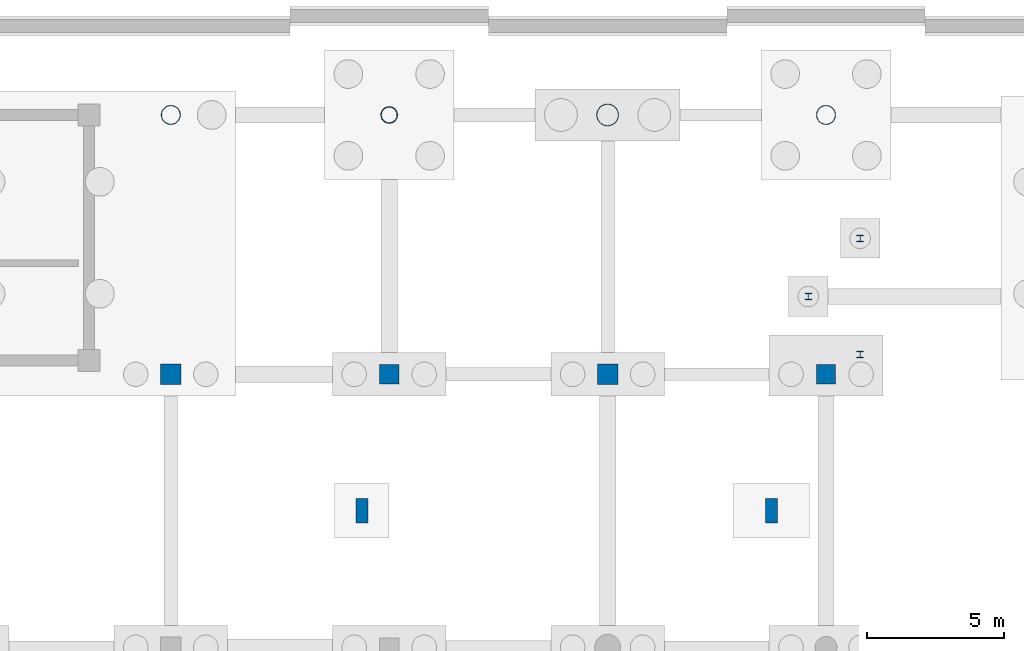
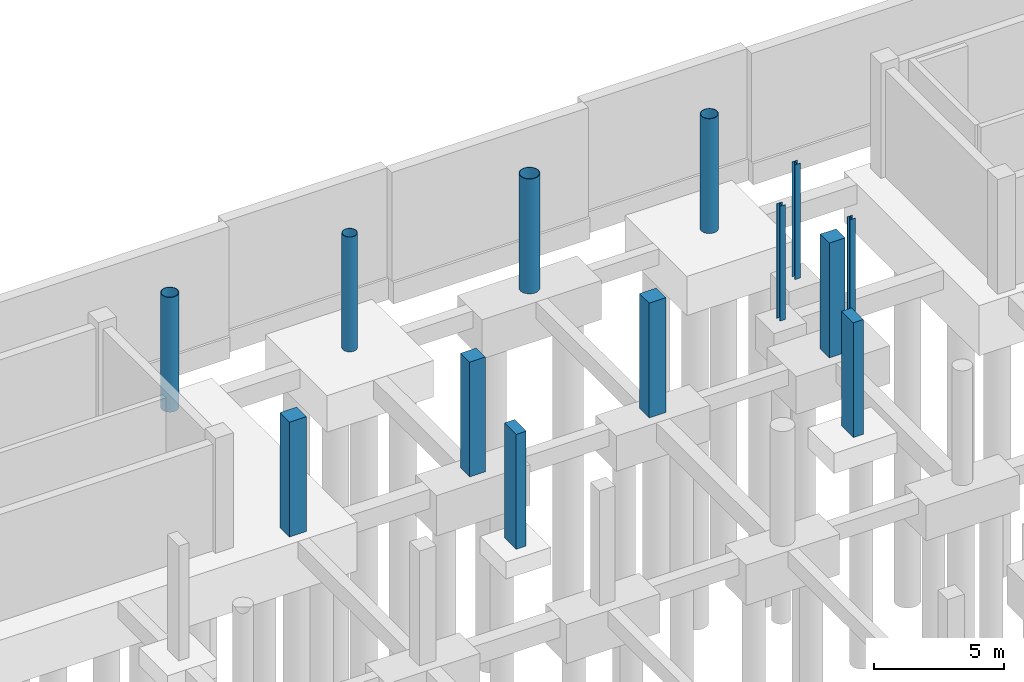
# One storey, part 45 of 65: 13 columns.
"""IFC4 building model written with IfcOpenShell, lengths in metres."""

from ifc_helpers import new_model, si_unit, direction, frame, origin, origin_2d, place, context, subcontext, project, spatial, rectangle, hollow_circle, i_section, extrude, material, material_profile, profile_set, type_object, element, save


model = new_model("IFC4")

# Units and contexts
model_context = context("Model", 3, precision=1e-05, world=origin(), true_north=direction((0.0, 1.0)))
body_context = subcontext(model_context, "Body", "Model", "MODEL_VIEW")
ifc_project = project(units=[si_unit("LENGTHUNIT", "METRE"), si_unit("AREAUNIT", "SQUARE_METRE"), si_unit("VOLUMEUNIT", "CUBIC_METRE"), si_unit("PLANEANGLEUNIT", "RADIAN"), si_unit("MASSUNIT", "GRAM", prefix="KILO")], contexts=[model_context])

# Site, building, storey
site_placement = place(None, origin())
site = spatial("IfcSite", under=ifc_project, at=site_placement, CompositionType="ELEMENT")
building_placement = place(site_placement, origin())
building = spatial("IfcBuilding", under=site, at=building_placement, Name="Khorjan Park Terminus", CompositionType="ELEMENT")
storey_placement = place(building_placement, frame((0.0, 0.0, -5.4)))
storey = spatial("IfcBuildingStorey", under=building, at=storey_placement, Name="B1", CompositionType="ELEMENT", Elevation=-5.4)

# Columns
ifc_material_1 = material(Name="Steel S355", Category="steel")
ifc_material_profile_1 = material_profile(ifc_material_1, i_section(OverallWidth=0.24, OverallDepth=0.24, WebThickness=0.01, FlangeThickness=0.017, FilletRadius=0.021, at=origin_2d()), Name="HEB 240")
ifc_profile_set_1 = profile_set([ifc_material_profile_1], Name="Steel S355")
column_type_1 = type_object("IfcColumnType", Name="COL-HB240", PredefinedType="COLUMN", material=ifc_profile_set_1)
for number, where, z_axis, x_axis, name in (
    (1, (113.25, 145.22, 0.0), (0.0, 0.0, 1.0), (1.0, 0.0, 0.0), "Structural column SC-H24 (B1 #1020)"),
    (2, (113.25, 149.48, 0.0), (0.0, 0.0, 1.0), (1.0, 0.0, 0.0), "Structural column SC-H24 (B1 #1022)"),
    (3, (111.35, 147.35, 0.0), (0.0, 0.0, 1.0), (1.0, 0.0, 0.0), "Structural column SC-H24 (B1 #1024)"),
):
    element("IfcColumn", number, at=place(storey_placement, frame(where, z_axis=z_axis, x_axis=x_axis)), inside=storey, type_object=column_type_1, Name=name, PredefinedType="COLUMN", context=body_context, shape_type="SweptSolid", body=[
        extrude(i_section(OverallWidth=0.24, OverallDepth=0.24, WebThickness=0.01, FlangeThickness=0.017, FilletRadius=0.021, at=origin_2d()), origin(), (0.0, 0.0, 1.0), 5.4),
    ])
ifc_material_2 = material(Name="Concrete C40/50", Category="concrete")
ifc_material_profile_2 = material_profile(ifc_material_2, rectangle(XDim=0.45, YDim=0.9, at=origin_2d()), Name="RC 450x900")
ifc_profile_set_2 = profile_set([ifc_material_profile_2], Name="Concrete C40/50")
column_type_2 = type_object("IfcColumnType", Name="COL-PIL900", PredefinedType="PILASTER", material=ifc_profile_set_2)
for number, where, z_axis, x_axis, name in (
    (4, (95.0, 139.5, 0.0), (0.0, 0.0, 1.0), (1.0, 0.0, 0.0), "Substructure track-bed pilaster CP-09 (17 B1)"),
    (5, (110.0, 139.5, 0.0), (0.0, 0.0, 1.0), (1.0, 0.0, 0.0), "Substructure track-bed pilaster CP-09 (18 B1)"),
):
    element("IfcColumn", number, at=place(storey_placement, frame(where, z_axis=z_axis, x_axis=x_axis)), inside=storey, type_object=column_type_2, Name=name, PredefinedType="PILASTER", context=body_context, shape_type="SweptSolid", body=[
        extrude(rectangle(XDim=0.45, YDim=0.9, at=origin_2d()), origin(), (0.0, 0.0, 1.0), 5.4),
    ])
ifc_material_profile_3 = material_profile(ifc_material_2, rectangle(XDim=0.7, YDim=0.7, at=origin_2d()), Name="RC 700x700")
ifc_profile_set_3 = profile_set([ifc_material_profile_3], Name="Concrete C40/50")
column_type_3 = type_object("IfcColumnType", Name="COL-RC700", PredefinedType="COLUMN", material=ifc_profile_set_3)
for number, where, z_axis, x_axis, name in (
    (6, (96.0, 144.5, 0.0), (0.0, 0.0, 1.0), (1.0, 0.0, 0.0), "Structural column C-RC07 (B1 #147)"),
    (7, (112.0, 144.5, 0.0), (0.0, 0.0, 1.0), (1.0, 0.0, 0.0), "Structural column C-RC07 (B1 #175)"),
):
    element("IfcColumn", number, at=place(storey_placement, frame(where, z_axis=z_axis, x_axis=x_axis)), inside=storey, type_object=column_type_3, Name=name, PredefinedType="COLUMN", context=body_context, shape_type="SweptSolid", body=[
        extrude(rectangle(XDim=0.7, YDim=0.7, at=origin_2d()), origin(), (0.0, 0.0, 1.0), 5.4),
    ])
ifc_material_profile_4 = material_profile(ifc_material_2, rectangle(XDim=0.75, YDim=0.75, at=origin_2d()), Name="RC 750x750")
ifc_profile_set_4 = profile_set([ifc_material_profile_4], Name="Concrete C40/50")
column_type_4 = type_object("IfcColumnType", Name="COL-RC750", PredefinedType="COLUMN", material=ifc_profile_set_4)
for number, where, z_axis, x_axis, name in (
    (8, (88.0, 144.5, 0.0), (0.0, 0.0, 1.0), (1.0, 0.0, 0.0), "Structural column C-RC75 (B1 #135)"),
    (9, (104.0, 144.5, 0.0), (0.0, 0.0, 1.0), (1.0, 0.0, 0.0), "Structural column C-RC75 (B1 #161)"),
):
    element("IfcColumn", number, at=place(storey_placement, frame(where, z_axis=z_axis, x_axis=x_axis)), inside=storey, type_object=column_type_4, Name=name, PredefinedType="COLUMN", context=body_context, shape_type="SweptSolid", body=[
        extrude(rectangle(XDim=0.75, YDim=0.75, at=origin_2d()), origin(), (0.0, 0.0, 1.0), 5.4),
    ])
ifc_material_profile_5 = material_profile(ifc_material_1, hollow_circle(Radius=0.305, WallThickness=0.02, at=origin_2d()), Name="CHS 610x20")
ifc_profile_set_5 = profile_set([ifc_material_profile_5], Name="Steel S355")
column_type_5 = type_object("IfcColumnType", Name="COL-SH610E", PredefinedType="COLUMN", material=ifc_profile_set_5)
column_1_placement = place(storey_placement, frame((96.0, 154.0, 0.0), z_axis=(0.0, 0.0, 1.0), x_axis=(1.0, 0.0, 0.0)))
element("IfcColumn", 10, at=column_1_placement, inside=storey, type_object=column_type_5, Name="Structural column SC-61 (B1 #140)", PredefinedType="COLUMN", context=body_context, shape_type="SweptSolid", body=[
    extrude(hollow_circle(Radius=0.305, WallThickness=0.02, at=origin_2d()), origin(), (0.0, 0.0, 1.0), 5.4),
])
ifc_material_profile_6 = material_profile(ifc_material_1, hollow_circle(Radius=0.3555, WallThickness=0.025, at=origin_2d()), Name="CHS 711x25")
ifc_profile_set_6 = profile_set([ifc_material_profile_6], Name="Steel S355")
column_type_6 = type_object("IfcColumnType", Name="COL-SH711E", PredefinedType="COLUMN", material=ifc_profile_set_6)
for number, where, z_axis, x_axis, name in (
    (11, (88.0, 154.0, 0.0), (0.0, 0.0, 1.0), (1.0, 0.0, 0.0), "Structural column SC-71 (B1 #128)"),
    (12, (112.0, 154.0, 0.0), (0.0, 0.0, 1.0), (1.0, 0.0, 0.0), "Structural column SC-71 (B1 #166)"),
):
    element("IfcColumn", number, at=place(storey_placement, frame(where, z_axis=z_axis, x_axis=x_axis)), inside=storey, type_object=column_type_6, Name=name, PredefinedType="COLUMN", context=body_context, shape_type="SweptSolid", body=[
        extrude(hollow_circle(Radius=0.3555, WallThickness=0.025, at=origin_2d()), origin(), (0.0, 0.0, 1.0), 5.4),
    ])
ifc_material_profile_7 = material_profile(ifc_material_1, hollow_circle(Radius=0.4065, WallThickness=0.025, at=origin_2d()), Name="CHS 813x25")
ifc_profile_set_7 = profile_set([ifc_material_profile_7], Name="Steel S355")
column_type_7 = type_object("IfcColumnType", Name="COL-SH813E", PredefinedType="COLUMN", material=ifc_profile_set_7)
column_2_placement = place(storey_placement, frame((104.0, 154.0, 0.0), z_axis=(0.0, 0.0, 1.0), x_axis=(1.0, 0.0, 0.0)))
element("IfcColumn", 13, at=column_2_placement, inside=storey, type_object=column_type_7, Name="Structural column SC-81 (B1 #152)", PredefinedType="COLUMN", context=body_context, shape_type="SweptSolid", body=[
    extrude(hollow_circle(Radius=0.4065, WallThickness=0.025, at=origin_2d()), origin(), (0.0, 0.0, 1.0), 5.4),
])

save(model, "model.ifc")
